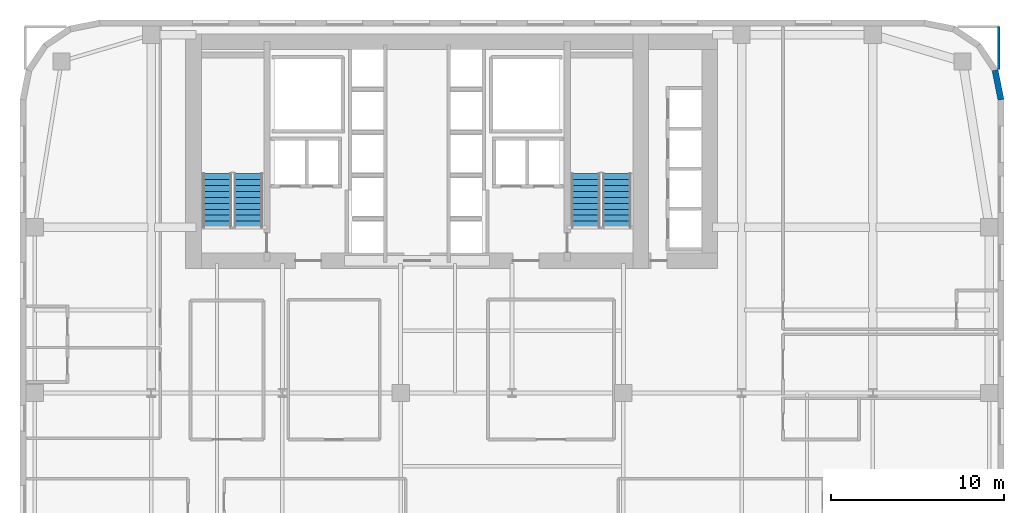
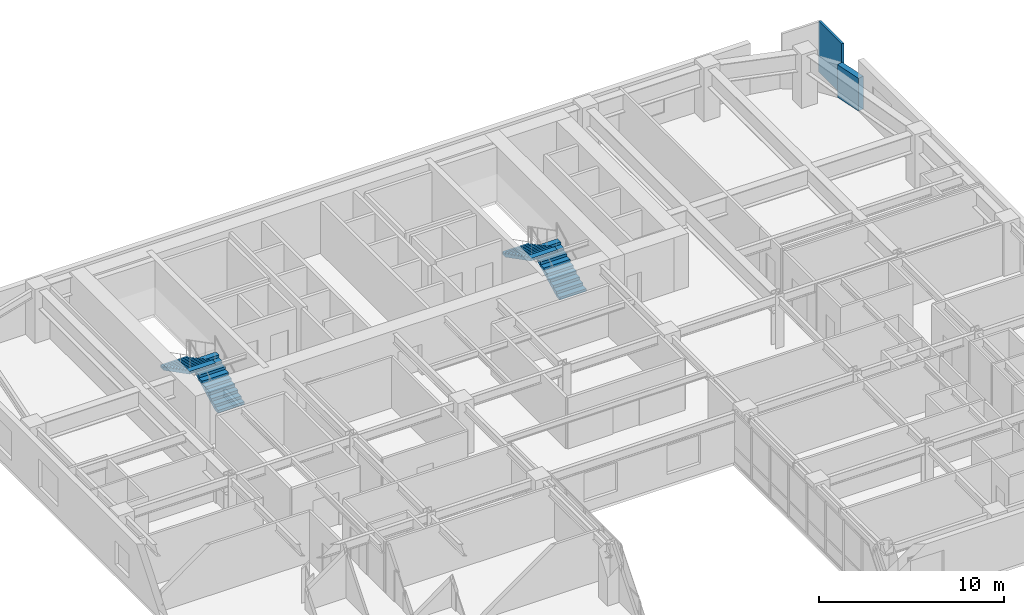
# One storey, part 16 of 17: 4 stair flights, 2 walls, 2 elements without a shape of their own.
"""IFC4 building model written with IfcOpenShell, lengths in metres."""

from ifc_helpers import new_model, si_unit, direction, frame, frame_2d, origin, place, context, subcontext, project, spatial, polyline, rectangle, outline, extrude, material, layer, layer_set, type_object, element, aggregate, save


model = new_model("IFC4")

# Units and contexts
model_context = context("Model", 3, precision=1e-05, world=origin(), true_north=direction((0.0, 1.0)))
body_context = subcontext(model_context, "Body", "Model", "MODEL_VIEW")
ifc_project = project(units=[si_unit("LENGTHUNIT", "METRE"), si_unit("AREAUNIT", "SQUARE_METRE"), si_unit("VOLUMEUNIT", "CUBIC_METRE"), si_unit("PLANEANGLEUNIT", "RADIAN"), si_unit("MASSUNIT", "GRAM", prefix="KILO")], contexts=[model_context])

# Site, building, storey
site_placement = place(None, origin())
site = spatial("IfcSite", under=ifc_project, at=site_placement, CompositionType="ELEMENT")
building_placement = place(site_placement, origin())
building = spatial("IfcBuilding", under=site, at=building_placement, Name="Tolvann Quenvar Hotel", CompositionType="ELEMENT")
storey_placement = place(building_placement, frame((0.0, 0.0, 42.64990234375)))
storey = spatial("IfcBuildingStorey", under=building, at=storey_placement, Name="L09", CompositionType="ELEMENT", Elevation=42.64990234375)

# Walls
ifc_material_1 = material(Name="Kiln-fired red and buff architectural clay brickwork and terracotta masonry", Category="masonry")
ifc_layer_1 = layer(ifc_material_1, 0.35009765625)
ifc_layer_set_1 = layer_set([ifc_layer_1], Name="Kiln-fired red and buff architectural clay brickwork and terracotta masonry")
wall_type_1 = type_object("IfcWallType", Name="WALL_EXT_BRICK_350", PredefinedType="SOLIDWALL", material=ifc_layer_set_1)
wall_1_placement = place(storey_placement, frame((56.824951171875, 41.3828125, 0.0), z_axis=(0.0, 0.0, 1.0), x_axis=(-0.195011420161, 0.980800971659, 0.0)))
element("IfcWall", 1, at=wall_1_placement, inside=storey, type_object=wall_type_1, Name="Exterior Chicago Brick Wall L09-E14", PredefinedType="SOLIDWALL", context=body_context, shape_type="SweptSolid", body=[
    extrude(rectangle(XDim=1.74267578125, YDim=0.35009765625, at=frame_2d((0.871337890625, 0.0))), origin(), (0.0, 0.0, 1.0), 2.16015625),
])
ifc_material_2 = material(Name="Acoustic twin-stud fire-rated gypsum plasterboard partition")
ifc_layer_2 = layer(ifc_material_2, 0.14990234375)
ifc_layer_set_2 = layer_set([ifc_layer_2], Name="Acoustic twin-stud fire-rated gypsum plasterboard partition")
wall_type_2 = type_object("IfcWallType", Name="WALL_PART_SUITE_150", PredefinedType="PARTITIONING", material=ifc_layer_set_2)
wall_2_placement = place(storey_placement, frame((56.699951171875, 43.135009765625, 0.0), z_axis=(0.0, 0.0, 1.0), x_axis=(0.0, 1.0, 0.0)))
element("IfcWall", 2, at=wall_2_placement, inside=storey, type_object=wall_type_2, Name="Interior Partition PT-SPC-L09-RM-NE01-E4", PredefinedType="PARTITIONING", context=body_context, shape_type="SweptSolid", body=[
    extrude(rectangle(XDim=2.485107421875, YDim=0.14990234375, at=frame_2d((1.24267578125, 0.0))), origin(), (0.0, 0.0, 1.0), 3.3701171875),
])

# Stair, stair flights
ifc_material_3 = material(Name="Concrete N40 (40 MPa)", Category="concrete")
stair_type = type_object("IfcStairType", Name="STAIR", PredefinedType="HALF_TURN_STAIR", material=ifc_material_3)
stair_1_placement = place(storey_placement, origin())
stair_1 = element("IfcStair", 3, at=stair_1_placement, inside=storey, type_object=stair_type, Name="L09 ST-C1", PredefinedType="HALF_TURN_STAIR")
stair_flight_type = type_object("IfcStairFlightType", Name="STAIR_FLIGHT", PredefinedType="STRAIGHT", material=ifc_material_3)
stair_flight_1_placement = place(storey_placement, frame((13.22509765625, 34.0, 0.0), z_axis=(0.0, 0.0, 1.0), x_axis=(0.0, 1.0, 0.0)))
stair_flight_1 = element("IfcStairFlight", 4, at=stair_flight_1_placement, type_object=stair_flight_type, Name="ST-C1 flight 1", NumberOfRisers=10, NumberOfTreads=9, PredefinedType="STRAIGHT", RiserHeight=0.1775, TreadLength=0.345, context=body_context, shape_type="SweptSolid", body=[
    extrude(outline(polyline([(0.0, 0.0), (0.0, 0.177490234375), (0.344970703125, 0.177490234375), (0.344970703125, 0.35498046875), (0.68994140625, 0.35498046875), (0.68994140625, 0.532470703125), (1.034912109375, 0.532470703125), (1.034912109375, 0.7099609375), (1.3798828125, 0.7099609375), (1.3798828125, 0.887451171875), (1.72509765625, 0.887451171875), (1.72509765625, 1.06494140625), (2.070068359375, 1.06494140625), (2.070068359375, 1.242431640625), (2.4150390625, 1.242431640625), (2.4150390625, 1.419921875), (2.760009765625, 1.419921875), (2.760009765625, 1.597412109375), (3.10498046875, 1.597412109375), (3.10498046875, 1.77490234375), (3.10498046875, 1.428955078125), (0.32763671875, 0.0), (0.0, 0.0)])), frame((0.0, 0.824951171875, 0.0), z_axis=(0.0, -1.0, 0.0), x_axis=(1.0, 0.0, 0.0)), (0.0, 0.0, 1.0), 1.64990234375),
])
stair_flight_2_placement = place(storey_placement, frame((11.425048828125, 37.10498046875, 1.775146484375), z_axis=(0.0, 0.0, 1.0), x_axis=(0.0, -1.0, 0.0)))
stair_flight_2 = element("IfcStairFlight", 5, at=stair_flight_2_placement, type_object=stair_flight_type, Name="ST-C1 flight 2", NumberOfRisers=10, NumberOfTreads=9, PredefinedType="STRAIGHT", RiserHeight=0.1775, TreadLength=0.345, context=body_context, shape_type="SweptSolid", body=[
    extrude(outline(polyline([(0.0, 0.0), (0.0, 0.177490234375), (0.344970703125, 0.177490234375), (0.344970703125, 0.35498046875), (0.68994140625, 0.35498046875), (0.68994140625, 0.532470703125), (1.034912109375, 0.532470703125), (1.034912109375, 0.7099609375), (1.3798828125, 0.7099609375), (1.3798828125, 0.887451171875), (1.72509765625, 0.887451171875), (1.72509765625, 1.06494140625), (2.070068359375, 1.06494140625), (2.070068359375, 1.242431640625), (2.4150390625, 1.242431640625), (2.4150390625, 1.419921875), (2.760009765625, 1.419921875), (2.760009765625, 1.597412109375), (3.10498046875, 1.597412109375), (3.10498046875, 1.77490234375), (3.10498046875, 1.428955078125), (0.32763671875, 0.0), (0.0, 0.0)])), frame((0.0, 0.824951171875, 0.0), z_axis=(0.0, -1.0, 0.0), x_axis=(1.0, 0.0, 0.0)), (0.0, 0.0, 1.0), 1.64990234375),
])
aggregate(stair_1, [stair_flight_1, stair_flight_2])

stair_2_placement = place(storey_placement, origin())
stair_2 = element("IfcStair", 6, at=stair_2_placement, inside=storey, type_object=stair_type, Name="L09 ST-C2", PredefinedType="HALF_TURN_STAIR")
stair_flight_3_placement = place(storey_placement, frame((34.574951171875, 34.0, 0.0), z_axis=(0.0, 0.0, 1.0), x_axis=(0.0, 1.0, 0.0)))
stair_flight_3 = element("IfcStairFlight", 7, at=stair_flight_3_placement, type_object=stair_flight_type, Name="ST-C2 flight 1", NumberOfRisers=10, NumberOfTreads=9, PredefinedType="STRAIGHT", RiserHeight=0.1775, TreadLength=0.345, context=body_context, shape_type="SweptSolid", body=[
    extrude(outline(polyline([(0.0, 0.0), (0.0, 0.177490234375), (0.344970703125, 0.177490234375), (0.344970703125, 0.35498046875), (0.68994140625, 0.35498046875), (0.68994140625, 0.532470703125), (1.034912109375, 0.532470703125), (1.034912109375, 0.7099609375), (1.3798828125, 0.7099609375), (1.3798828125, 0.887451171875), (1.72509765625, 0.887451171875), (1.72509765625, 1.06494140625), (2.070068359375, 1.06494140625), (2.070068359375, 1.242431640625), (2.4150390625, 1.242431640625), (2.4150390625, 1.419921875), (2.760009765625, 1.419921875), (2.760009765625, 1.597412109375), (3.10498046875, 1.597412109375), (3.10498046875, 1.77490234375), (3.10498046875, 1.428955078125), (0.32763671875, 0.0), (0.0, 0.0)])), frame((0.0, 0.824951171875, 0.0), z_axis=(0.0, -1.0, 0.0), x_axis=(1.0, 0.0, 0.0)), (0.0, 0.0, 1.0), 1.64990234375),
])
stair_flight_4_placement = place(storey_placement, frame((32.77490234375, 37.10498046875, 1.775146484375), z_axis=(0.0, 0.0, 1.0), x_axis=(0.0, -1.0, 0.0)))
stair_flight_4 = element("IfcStairFlight", 8, at=stair_flight_4_placement, type_object=stair_flight_type, Name="ST-C2 flight 2", NumberOfRisers=10, NumberOfTreads=9, PredefinedType="STRAIGHT", RiserHeight=0.1775, TreadLength=0.345, context=body_context, shape_type="SweptSolid", body=[
    extrude(outline(polyline([(0.0, 0.0), (0.0, 0.177490234375), (0.344970703125, 0.177490234375), (0.344970703125, 0.35498046875), (0.68994140625, 0.35498046875), (0.68994140625, 0.532470703125), (1.034912109375, 0.532470703125), (1.034912109375, 0.7099609375), (1.3798828125, 0.7099609375), (1.3798828125, 0.887451171875), (1.72509765625, 0.887451171875), (1.72509765625, 1.06494140625), (2.070068359375, 1.06494140625), (2.070068359375, 1.242431640625), (2.4150390625, 1.242431640625), (2.4150390625, 1.419921875), (2.760009765625, 1.419921875), (2.760009765625, 1.597412109375), (3.10498046875, 1.597412109375), (3.10498046875, 1.77490234375), (3.10498046875, 1.428955078125), (0.32763671875, 0.0), (0.0, 0.0)])), frame((0.0, 0.824951171875, 0.0), z_axis=(0.0, -1.0, 0.0), x_axis=(1.0, 0.0, 0.0)), (0.0, 0.0, 1.0), 1.64990234375),
])
aggregate(stair_2, [stair_flight_3, stair_flight_4])

save(model, "model.ifc")
